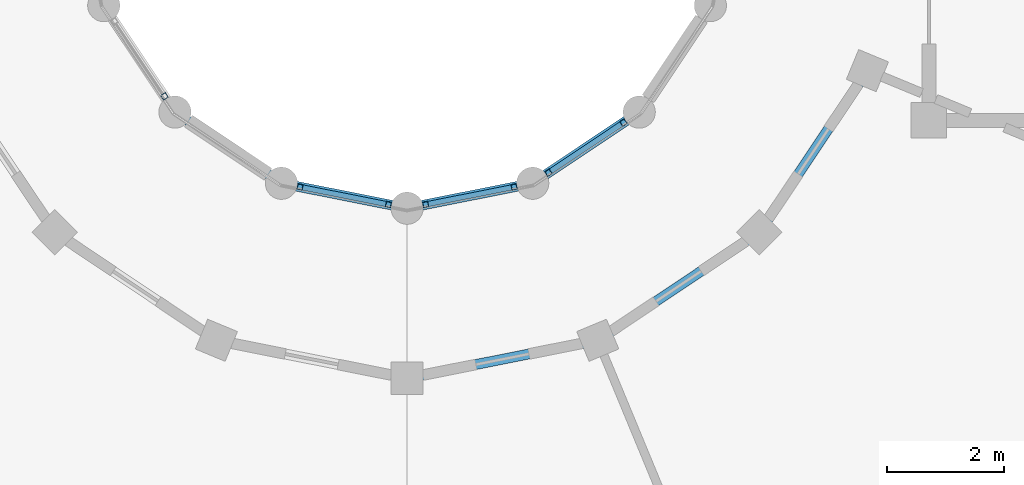
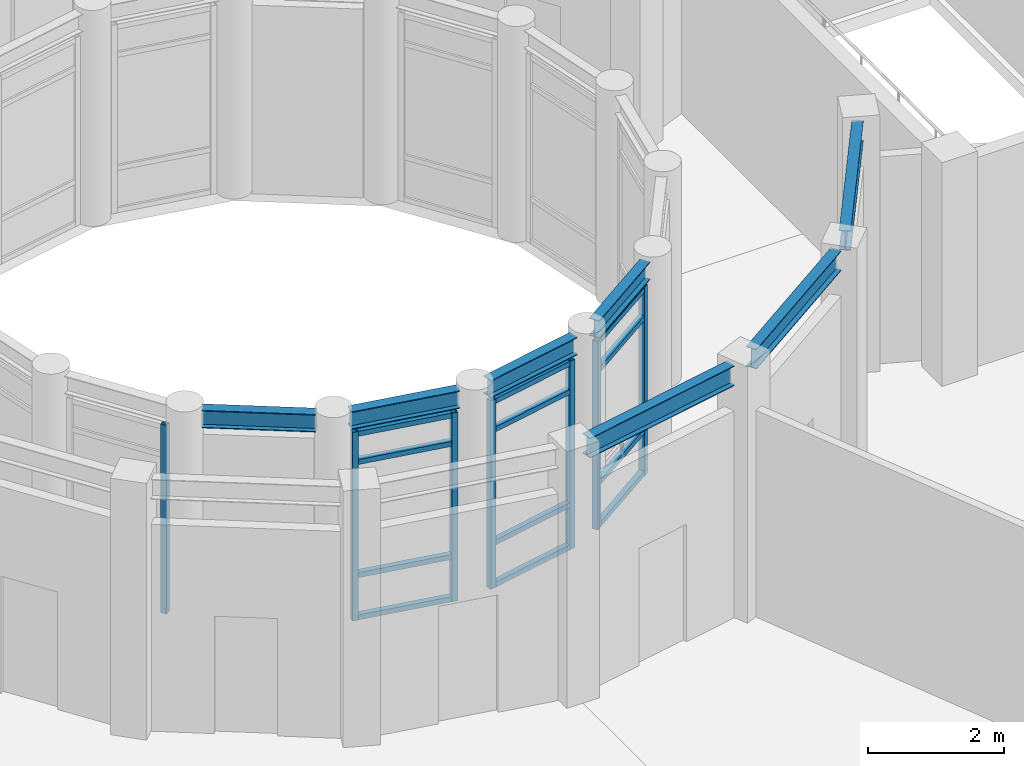
# One storey, part 10 of 149: 19 members, 7 beams, 4 elements without a shape of their own.
"""IFC4 building model written with IfcOpenShell, lengths in metres."""

from ifc_helpers import new_model, si_unit, direction, frame, origin, origin_2d, place, context, subcontext, project, spatial, hollow_rectangle, i_section, extrude, material, material_profile, profile_set, type_object, element, aggregate, save


model = new_model("IFC4")

# Units and contexts
model_context = context("Model", 3, precision=1e-05, world=origin(), true_north=direction((0.0, 1.0)))
body_context = subcontext(model_context, "Body", "Model", "MODEL_VIEW")
ifc_project = project(units=[si_unit("LENGTHUNIT", "METRE"), si_unit("AREAUNIT", "SQUARE_METRE"), si_unit("VOLUMEUNIT", "CUBIC_METRE"), si_unit("PLANEANGLEUNIT", "RADIAN"), si_unit("MASSUNIT", "GRAM", prefix="KILO")], contexts=[model_context])

# Site, building, storey
site_placement = place(None, origin())
site = spatial("IfcSite", under=ifc_project, at=site_placement, CompositionType="ELEMENT")
building_placement = place(site_placement, origin())
building = spatial("IfcBuilding", under=site, at=building_placement, Name="Celadon Cloister-Ring School", CompositionType="ELEMENT")
storey_placement = place(building_placement, frame((0.0, 0.0, 12.5)))
storey = spatial("IfcBuildingStorey", under=building, at=storey_placement, Name="L03", CompositionType="ELEMENT", Elevation=12.5)

# Curtain wall, member
ifc_material_1 = material(Name="Aluminium EN AW-6063 T6", Category="aluminium")
curtain_wall_type = type_object("IfcCurtainWallType", Name="CW-06", PredefinedType="USERDEFINED", material=ifc_material_1)
curtain_wall_1_placement = place(storey_placement, origin())
curtain_wall_1 = element("IfcCurtainWall", 1, at=curtain_wall_1_placement, inside=storey, type_object=curtain_wall_type, Name="Curtain Wall 0170", ObjectType="CURTAIN WALL", PredefinedType="USERDEFINED")
ifc_material_2 = material(Name="Aluminium EN AW-6063 T6", Category="aluminium")
ifc_material_profile_1 = material_profile(ifc_material_2, hollow_rectangle(XDim=0.094970703125, YDim=0.094970703125, WallThickness=0.00390625, at=origin_2d()), Name="RHS95X95X4")
ifc_profile_set_1 = profile_set([ifc_material_profile_1], Name="Aluminium EN AW-6063 T6")
member_type_1 = type_object("IfcMemberType", Name="CM-02", PredefinedType="MULLION", material=ifc_profile_set_1)
member_1_placement = place(storey_placement, frame((16.060546875, 16.30859375, 0.0), z_axis=(0.0, 0.0, 1.0), x_axis=(0.831485091394, 0.555547066224, 0.0)))
member_1 = element("IfcMember", 2, at=member_1_placement, type_object=member_type_1, Name="CW-06 mullion 2", PredefinedType="MULLION", context=body_context, shape_type="SweptSolid", body=[
    extrude(hollow_rectangle(XDim=0.094970703125, YDim=0.094970703125, WallThickness=0.00390625, at=origin_2d()), origin(), (0.0, 0.0, 1.0), 3.375),
])
aggregate(curtain_wall_1, [member_1])

# Curtain wall, members
curtain_wall_2_placement = place(storey_placement, origin())
curtain_wall_2 = element("IfcCurtainWall", 3, at=curtain_wall_2_placement, inside=storey, type_object=curtain_wall_type, Name="Curtain Wall 0171", ObjectType="CURTAIN WALL", PredefinedType="USERDEFINED")
member_2_placement = place(storey_placement, frame((18.37353515625, 14.7626953125, 0.0), z_axis=(0.0, 0.0, 1.0), x_axis=(0.194586131301, 0.980885435464, 0.0)))
member_2 = element("IfcMember", 4, at=member_2_placement, type_object=member_type_1, Name="CW-06 mullion 1", PredefinedType="MULLION", context=body_context, shape_type="SweptSolid", body=[
    extrude(hollow_rectangle(XDim=0.094970703125, YDim=0.094970703125, WallThickness=0.00390625, at=origin_2d()), origin(), (0.0, 0.0, 1.0), 3.375),
])
member_3_placement = place(storey_placement, frame((19.88330078125, 14.463134765625, 0.0), z_axis=(0.0, 0.0, 1.0), x_axis=(0.194586131301, 0.980885435464, 0.0)))
member_3 = element("IfcMember", 5, at=member_3_placement, type_object=member_type_1, Name="CW-06 mullion 2", PredefinedType="MULLION", context=body_context, shape_type="SweptSolid", body=[
    extrude(hollow_rectangle(XDim=0.094970703125, YDim=0.094970703125, WallThickness=0.00390625, at=origin_2d()), origin(), (0.0, 0.0, 1.0), 3.375),
])

curtain_wall_3_placement = place(storey_placement, origin())
curtain_wall_3 = element("IfcCurtainWall", 6, at=curtain_wall_3_placement, inside=storey, type_object=curtain_wall_type, Name="Curtain Wall 0172", ObjectType="CURTAIN WALL", PredefinedType="USERDEFINED")
member_4_placement = place(storey_placement, frame((20.5166015625, 14.463134765625, 0.0), z_axis=(0.0, 0.0, 1.0), x_axis=(-0.194586131301, 0.980885435464, 0.0)))
member_4 = element("IfcMember", 7, at=member_4_placement, type_object=member_type_1, Name="CW-06 mullion 1", PredefinedType="MULLION", context=body_context, shape_type="SweptSolid", body=[
    extrude(hollow_rectangle(XDim=0.094970703125, YDim=0.094970703125, WallThickness=0.00390625, at=origin_2d()), origin(), (0.0, 0.0, 1.0), 3.375),
])
member_5_placement = place(storey_placement, frame((22.0263671875, 14.7626953125, 0.0), z_axis=(0.0, 0.0, 1.0), x_axis=(-0.194586131301, 0.980885435464, 0.0)))
member_5 = element("IfcMember", 8, at=member_5_placement, type_object=member_type_1, Name="CW-06 mullion 2", PredefinedType="MULLION", context=body_context, shape_type="SweptSolid", body=[
    extrude(hollow_rectangle(XDim=0.094970703125, YDim=0.094970703125, WallThickness=0.00390625, at=origin_2d()), origin(), (0.0, 0.0, 1.0), 3.375),
])

curtain_wall_4_placement = place(storey_placement, origin())
curtain_wall_4 = element("IfcCurtainWall", 9, at=curtain_wall_4_placement, inside=storey, type_object=curtain_wall_type, Name="Curtain Wall 0173", ObjectType="CURTAIN WALL", PredefinedType="USERDEFINED")
member_6_placement = place(storey_placement, frame((22.611572265625, 15.00537109375, 0.0), z_axis=(0.0, 0.0, 1.0), x_axis=(-0.555547066224, 0.831485091394, 0.0)))
member_6 = element("IfcMember", 10, at=member_6_placement, type_object=member_type_1, Name="CW-06 mullion 1", PredefinedType="MULLION", context=body_context, shape_type="SweptSolid", body=[
    extrude(hollow_rectangle(XDim=0.094970703125, YDim=0.094970703125, WallThickness=0.00390625, at=origin_2d()), origin(), (0.0, 0.0, 1.0), 3.375),
])
member_7_placement = place(storey_placement, frame((23.8916015625, 15.860595703125, 0.0), z_axis=(0.0, 0.0, 1.0), x_axis=(-0.555547066224, 0.831485091394, 0.0)))
member_7 = element("IfcMember", 11, at=member_7_placement, type_object=member_type_1, Name="CW-06 mullion 2", PredefinedType="MULLION", context=body_context, shape_type="SweptSolid", body=[
    extrude(hollow_rectangle(XDim=0.094970703125, YDim=0.094970703125, WallThickness=0.00390625, at=origin_2d()), origin(), (0.0, 0.0, 1.0), 3.375),
])

# Member
ifc_material_3 = material(Name="Aluminium EN AW-6063 T6", Category="aluminium")
ifc_material_profile_2 = material_profile(ifc_material_3, hollow_rectangle(XDim=0.090087890625, YDim=0.090087890625, WallThickness=0.00390625, at=origin_2d()), Name="RHS90X90X4")
ifc_profile_set_2 = profile_set([ifc_material_profile_2], Name="Aluminium EN AW-6063 T6")
member_type_2 = type_object("IfcMemberType", Name="CTM-02", PredefinedType="USERDEFINED", material=ifc_profile_set_2)
member_8_placement = place(storey_placement, frame((18.420166015625, 14.75341796875, 0.044921875), z_axis=(0.98089149302, -0.194555593394, 0.0), x_axis=(0.194555593394, 0.98089149302, 0.0)))
member_8 = element("IfcMember", 12, at=member_8_placement, type_object=member_type_2, Name="CW-06 transom 1.1", ObjectType="TRANSOM", PredefinedType="USERDEFINED", context=body_context, shape_type="SweptSolid", body=[
    extrude(hollow_rectangle(XDim=0.090087890625, YDim=0.090087890625, WallThickness=0.00390625, at=origin_2d()), origin(), (0.0, 0.0, 1.0), 1.4443359375),
])

member_9_placement = place(storey_placement, frame((18.420166015625, 14.75341796875, 0.800048828125), z_axis=(0.98089149302, -0.194555593394, 0.0), x_axis=(0.194555593394, 0.98089149302, 0.0)))
member_9 = element("IfcMember", 13, at=member_9_placement, type_object=member_type_2, Name="CW-06 transom 1.2", ObjectType="TRANSOM", PredefinedType="USERDEFINED", context=body_context, shape_type="SweptSolid", body=[
    extrude(hollow_rectangle(XDim=0.090087890625, YDim=0.090087890625, WallThickness=0.00390625, at=origin_2d()), origin(), (0.0, 0.0, 1.0), 1.4443359375),
])

member_10_placement = place(storey_placement, frame((18.420166015625, 14.75341796875, 2.824951171875), z_axis=(0.98089149302, -0.194555593394, 0.0), x_axis=(0.194555593394, 0.98089149302, 0.0)))
member_10 = element("IfcMember", 14, at=member_10_placement, type_object=member_type_2, Name="CW-06 transom 1.3", ObjectType="TRANSOM", PredefinedType="USERDEFINED", context=body_context, shape_type="SweptSolid", body=[
    extrude(hollow_rectangle(XDim=0.090087890625, YDim=0.090087890625, WallThickness=0.00390625, at=origin_2d()), origin(), (0.0, 0.0, 1.0), 1.4443359375),
])

member_11_placement = place(storey_placement, frame((18.420166015625, 14.75341796875, 3.330078125), z_axis=(0.98089149302, -0.194555593394, 0.0), x_axis=(0.194555593394, 0.98089149302, 0.0)))
member_11 = element("IfcMember", 15, at=member_11_placement, type_object=member_type_2, Name="CW-06 transom 1.4", ObjectType="TRANSOM", PredefinedType="USERDEFINED", context=body_context, shape_type="SweptSolid", body=[
    extrude(hollow_rectangle(XDim=0.090087890625, YDim=0.090087890625, WallThickness=0.00390625, at=origin_2d()), origin(), (0.0, 0.0, 1.0), 1.4443359375),
])

aggregate(curtain_wall_2, [member_2, member_3, member_8, member_9, member_10, member_11])

member_12_placement = place(storey_placement, frame((20.563232421875, 14.472412109375, 0.044921875), z_axis=(0.980885093257, 0.194587856315, 0.0), x_axis=(-0.194587856315, 0.980885093257, 0.0)))
member_12 = element("IfcMember", 16, at=member_12_placement, type_object=member_type_2, Name="CW-06 transom 1.1", ObjectType="TRANSOM", PredefinedType="USERDEFINED", context=body_context, shape_type="SweptSolid", body=[
    extrude(hollow_rectangle(XDim=0.090087890625, YDim=0.090087890625, WallThickness=0.00390625, at=origin_2d()), origin(), (0.0, 0.0, 1.0), 1.444091796875),
])

member_13_placement = place(storey_placement, frame((20.563232421875, 14.472412109375, 0.800048828125), z_axis=(0.980885093257, 0.194587856315, 0.0), x_axis=(-0.194587856315, 0.980885093257, 0.0)))
member_13 = element("IfcMember", 17, at=member_13_placement, type_object=member_type_2, Name="CW-06 transom 1.2", ObjectType="TRANSOM", PredefinedType="USERDEFINED", context=body_context, shape_type="SweptSolid", body=[
    extrude(hollow_rectangle(XDim=0.090087890625, YDim=0.090087890625, WallThickness=0.00390625, at=origin_2d()), origin(), (0.0, 0.0, 1.0), 1.444091796875),
])

member_14_placement = place(storey_placement, frame((20.563232421875, 14.472412109375, 2.824951171875), z_axis=(0.980885093257, 0.194587856315, 0.0), x_axis=(-0.194587856315, 0.980885093257, 0.0)))
member_14 = element("IfcMember", 18, at=member_14_placement, type_object=member_type_2, Name="CW-06 transom 1.3", ObjectType="TRANSOM", PredefinedType="USERDEFINED", context=body_context, shape_type="SweptSolid", body=[
    extrude(hollow_rectangle(XDim=0.090087890625, YDim=0.090087890625, WallThickness=0.00390625, at=origin_2d()), origin(), (0.0, 0.0, 1.0), 1.444091796875),
])

member_15_placement = place(storey_placement, frame((20.563232421875, 14.472412109375, 3.330078125), z_axis=(0.980885093257, 0.194587856315, 0.0), x_axis=(-0.194587856315, 0.980885093257, 0.0)))
member_15 = element("IfcMember", 19, at=member_15_placement, type_object=member_type_2, Name="CW-06 transom 1.4", ObjectType="TRANSOM", PredefinedType="USERDEFINED", context=body_context, shape_type="SweptSolid", body=[
    extrude(hollow_rectangle(XDim=0.090087890625, YDim=0.090087890625, WallThickness=0.00390625, at=origin_2d()), origin(), (0.0, 0.0, 1.0), 1.444091796875),
])

aggregate(curtain_wall_3, [member_4, member_5, member_12, member_13, member_14, member_15])

member_16_placement = place(storey_placement, frame((22.65087890625, 15.03173828125, 0.044921875), z_axis=(0.831503875559, 0.555518951009, 0.0), x_axis=(-0.555518951009, 0.831503875559, 0.0)))
member_16 = element("IfcMember", 20, at=member_16_placement, type_object=member_type_2, Name="CW-06 transom 1.1", ObjectType="TRANSOM", PredefinedType="USERDEFINED", context=body_context, shape_type="SweptSolid", body=[
    extrude(hollow_rectangle(XDim=0.090087890625, YDim=0.090087890625, WallThickness=0.00390625, at=origin_2d()), origin(), (0.0, 0.0, 1.0), 1.444580078125),
])

member_17_placement = place(storey_placement, frame((22.65087890625, 15.03173828125, 0.800048828125), z_axis=(0.831503875559, 0.555518951009, 0.0), x_axis=(-0.555518951009, 0.831503875559, 0.0)))
member_17 = element("IfcMember", 21, at=member_17_placement, type_object=member_type_2, Name="CW-06 transom 1.2", ObjectType="TRANSOM", PredefinedType="USERDEFINED", context=body_context, shape_type="SweptSolid", body=[
    extrude(hollow_rectangle(XDim=0.090087890625, YDim=0.090087890625, WallThickness=0.00390625, at=origin_2d()), origin(), (0.0, 0.0, 1.0), 1.444580078125),
])

member_18_placement = place(storey_placement, frame((22.65087890625, 15.03173828125, 2.824951171875), z_axis=(0.831503875559, 0.555518951009, 0.0), x_axis=(-0.555518951009, 0.831503875559, 0.0)))
member_18 = element("IfcMember", 22, at=member_18_placement, type_object=member_type_2, Name="CW-06 transom 1.3", ObjectType="TRANSOM", PredefinedType="USERDEFINED", context=body_context, shape_type="SweptSolid", body=[
    extrude(hollow_rectangle(XDim=0.090087890625, YDim=0.090087890625, WallThickness=0.00390625, at=origin_2d()), origin(), (0.0, 0.0, 1.0), 1.444580078125),
])

member_19_placement = place(storey_placement, frame((22.65087890625, 15.03173828125, 3.330078125), z_axis=(0.831503875559, 0.555518951009, 0.0), x_axis=(-0.555518951009, 0.831503875559, 0.0)))
member_19 = element("IfcMember", 23, at=member_19_placement, type_object=member_type_2, Name="CW-06 transom 1.4", ObjectType="TRANSOM", PredefinedType="USERDEFINED", context=body_context, shape_type="SweptSolid", body=[
    extrude(hollow_rectangle(XDim=0.090087890625, YDim=0.090087890625, WallThickness=0.00390625, at=origin_2d()), origin(), (0.0, 0.0, 1.0), 1.444580078125),
])

aggregate(curtain_wall_4, [member_6, member_7, member_16, member_17, member_18, member_19])

# Beams
ifc_material_4 = material(Name="Structural steel S355JR", Category="steel")
ifc_material_profile_3 = material_profile(ifc_material_4, i_section(OverallWidth=0.1708984375, OverallDepth=0.35498046875, WebThickness=0.007080078125, FlangeThickness=0.01171875, at=origin_2d()), Name="W360X51")
ifc_profile_set_3 = profile_set([ifc_material_profile_3], Name="Structural steel S355JR")
beam_type_1 = type_object("IfcBeamType", Name="GT-08", PredefinedType="USERDEFINED", material=ifc_profile_set_3)
beam_1_placement = place(storey_placement, frame((20.445068359375, 11.549072265625, 4.322998046875), z_axis=(0.980836510336, 0.19483259479, 0.0), x_axis=(-0.19483259479, 0.980836510336, 0.0)))
element("IfcBeam", 24, at=beam_1_placement, inside=storey, type_object=beam_type_1, Name="Beam 1104", ObjectType="GIRDER", PredefinedType="USERDEFINED", context=body_context, shape_type="SweptSolid", body=[
    extrude(i_section(OverallWidth=0.1708984375, OverallDepth=0.35498046875, WebThickness=0.007080078125, FlangeThickness=0.01171875, at=origin_2d()), origin(), (0.0, 0.0, 1.0), 2.81689453125),
])
beam_2_placement = place(storey_placement, frame((23.660888671875, 12.285888671875, 4.322998046875), z_axis=(0.831315995752, 0.555800067657, 0.0), x_axis=(-0.555800067657, 0.831315995752, 0.0)))
element("IfcBeam", 25, at=beam_2_placement, inside=storey, type_object=beam_type_1, Name="Beam 1107", ObjectType="GIRDER", PredefinedType="USERDEFINED", context=body_context, shape_type="SweptSolid", body=[
    extrude(i_section(OverallWidth=0.1708984375, OverallDepth=0.35498046875, WebThickness=0.007080078125, FlangeThickness=0.01171875, at=origin_2d()), origin(), (0.0, 0.0, 1.0), 2.816162109375),
])
beam_3_placement = place(storey_placement, frame((26.34912109375, 14.197998046875, 4.322998046875), z_axis=(0.555740149771, 0.831356052442, 0.0), x_axis=(-0.831356052442, 0.555740149771, 0.0)))
element("IfcBeam", 26, at=beam_3_placement, inside=storey, type_object=beam_type_1, Name="Beam 1110", ObjectType="GIRDER", PredefinedType="USERDEFINED", context=body_context, shape_type="SweptSolid", body=[
    extrude(i_section(OverallWidth=0.1708984375, OverallDepth=0.35498046875, WebThickness=0.007080078125, FlangeThickness=0.01171875, at=origin_2d()), origin(), (0.0, 0.0, 1.0), 2.81591796875),
])
ifc_material_5 = material(Name="Structural steel S355JR", Category="steel")
ifc_material_profile_4 = material_profile(ifc_material_5, i_section(OverallWidth=0.1669921875, OverallDepth=0.31689453125, WebThickness=0.007568359375, FlangeThickness=0.01318359375, at=origin_2d()), Name="W310X52")
ifc_profile_set_4 = profile_set([ifc_material_profile_4], Name="Structural steel S355JR")
beam_type_2 = type_object("IfcBeamType", Name="SP-05", PredefinedType="SPANDREL", material=ifc_profile_set_4)
beam_4_placement = place(storey_placement, frame((16.447998046875, 15.90087890625, 3.615966796875), z_axis=(0.831581859135, -0.555402207016, 0.0), x_axis=(0.555402207016, 0.831581859135, 0.0)))
element("IfcBeam", 27, at=beam_4_placement, inside=storey, type_object=beam_type_2, Name="Beam 1099", PredefinedType="SPANDREL", context=body_context, shape_type="SweptSolid", body=[
    extrude(i_section(OverallWidth=0.1669921875, OverallDepth=0.31689453125, WebThickness=0.007568359375, FlangeThickness=0.01318359375, at=origin_2d()), origin(), (0.0, 0.0, 1.0), 1.684814453125),
])
beam_5_placement = place(storey_placement, frame((18.302001953125, 14.777099609375, 3.615966796875), z_axis=(0.980863799725, -0.194695162728, 0.0), x_axis=(0.194695162728, 0.980863799725, 0.0)))
element("IfcBeam", 28, at=beam_5_placement, inside=storey, type_object=beam_type_2, Name="Beam 1102", PredefinedType="SPANDREL", context=body_context, shape_type="SweptSolid", body=[
    extrude(i_section(OverallWidth=0.1669921875, OverallDepth=0.31689453125, WebThickness=0.007568359375, FlangeThickness=0.01318359375, at=origin_2d()), origin(), (0.0, 0.0, 1.0), 1.685302734375),
])
beam_6_placement = place(storey_placement, frame((20.445068359375, 14.448974609375, 3.615966796875), z_axis=(0.980858307367, 0.194722830887, 0.0), x_axis=(-0.194722830887, 0.980858307367, 0.0)))
element("IfcBeam", 29, at=beam_6_placement, inside=storey, type_object=beam_type_2, Name="Beam 1105", PredefinedType="SPANDREL", context=body_context, shape_type="SweptSolid", body=[
    extrude(i_section(OverallWidth=0.1669921875, OverallDepth=0.31689453125, WebThickness=0.007568359375, FlangeThickness=0.01318359375, at=origin_2d()), origin(), (0.0, 0.0, 1.0), 1.68505859375),
])
beam_7_placement = place(storey_placement, frame((22.551025390625, 14.965087890625, 3.615966796875), z_axis=(0.831537153477, 0.555469137204, 0.0), x_axis=(-0.555469137204, 0.831537153477, 0.0)))
element("IfcBeam", 30, at=beam_7_placement, inside=storey, type_object=beam_type_2, Name="Beam 1108", PredefinedType="SPANDREL", context=body_context, shape_type="SweptSolid", body=[
    extrude(i_section(OverallWidth=0.1669921875, OverallDepth=0.31689453125, WebThickness=0.007568359375, FlangeThickness=0.01318359375, at=origin_2d()), origin(), (0.0, 0.0, 1.0), 1.6845703125),
])

save(model, "model.ifc")
